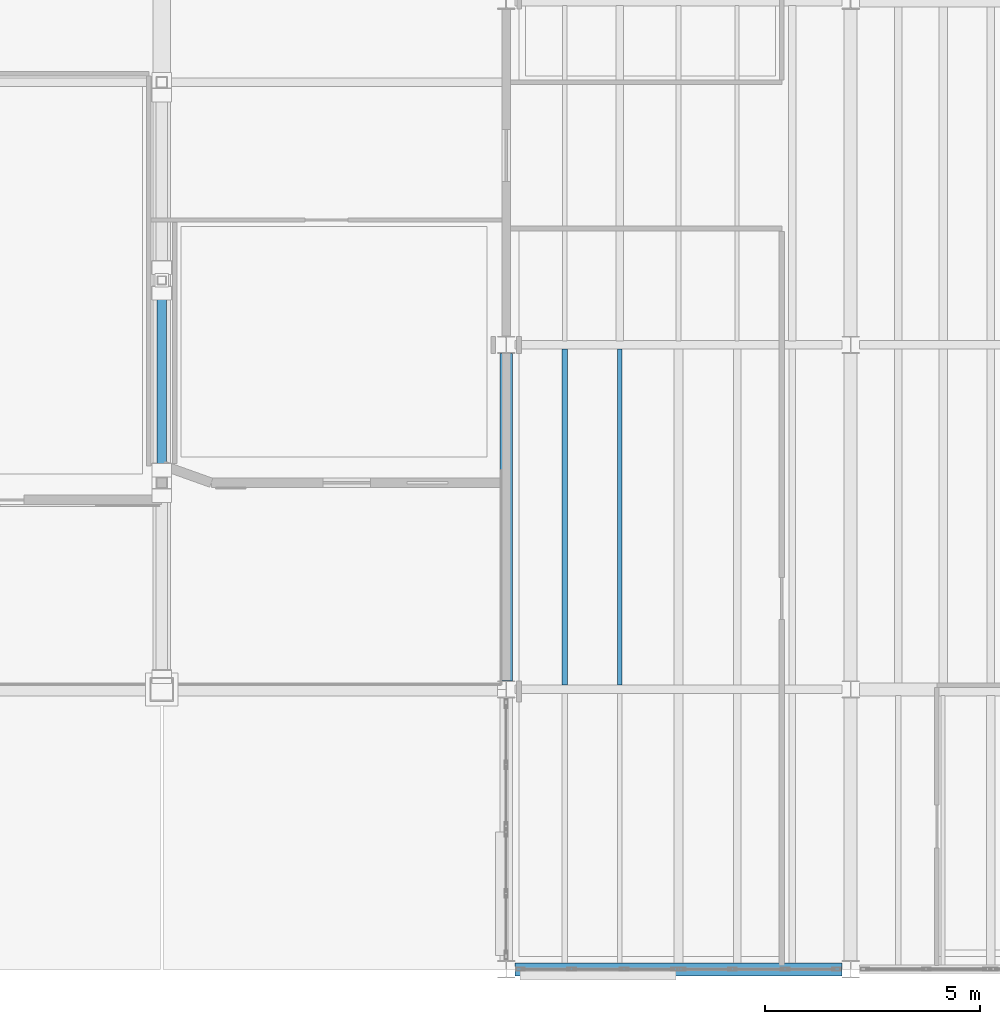
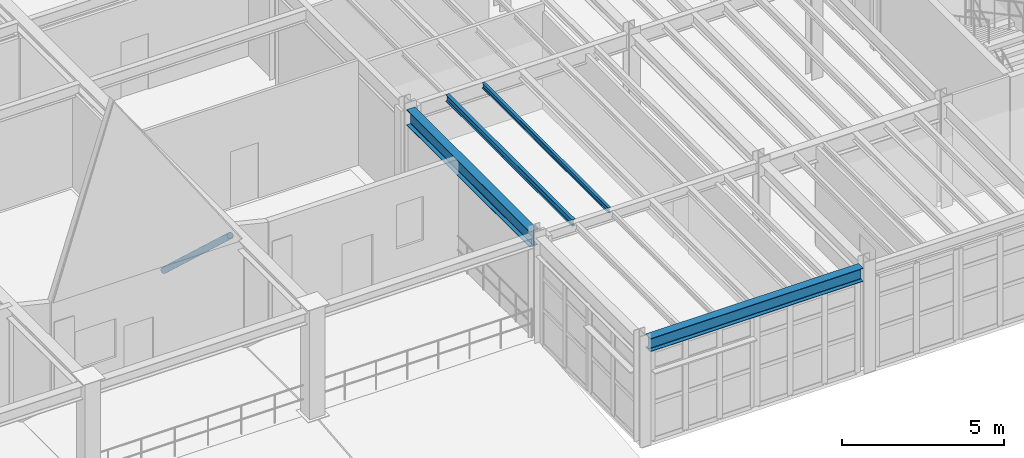
# One storey, part 34 of 78: 4 beams, 1 member.
"""IFC4 building model written with IfcOpenShell, lengths in metres."""

from ifc_helpers import new_model, si_unit, direction, frame, origin, origin_2d, place, context, subcontext, project, spatial, hollow_circle, i_section, extrude, material, material_profile, profile_set, type_object, element, save


model = new_model("IFC4")

# Units and contexts
model_context = context("Model", 3, precision=1e-05, world=origin(), true_north=direction((0.0, 1.0)))
body_context = subcontext(model_context, "Body", "Model", "MODEL_VIEW")
ifc_project = project(units=[si_unit("LENGTHUNIT", "METRE"), si_unit("AREAUNIT", "SQUARE_METRE"), si_unit("VOLUMEUNIT", "CUBIC_METRE"), si_unit("PLANEANGLEUNIT", "RADIAN"), si_unit("MASSUNIT", "GRAM", prefix="KILO"), si_unit("THERMODYNAMICTEMPERATUREUNIT", "KELVIN"), si_unit("POWERUNIT", "WATT")], contexts=[model_context])

# Site, building, storey
site_placement = place(None, origin())
site = spatial("IfcSite", under=ifc_project, at=site_placement, CompositionType="ELEMENT")
building_placement = place(site_placement, origin())
building = spatial("IfcBuilding", under=site, at=building_placement, Name="Zhenchuan Central Fire Station", CompositionType="ELEMENT")
storey_placement = place(building_placement, frame((0.0, 0.0, 5.85009765625)))
storey = spatial("IfcBuildingStorey", under=building, at=storey_placement, Name="L02", CompositionType="ELEMENT", Elevation=5.85009765625)

# Beams
ifc_material = material(Name="Steel Q355B", Category="steel")
ifc_material_profile_1 = material_profile(ifc_material, i_section(OverallWidth=0.300048828125, OverallDepth=0.5, WebThickness=0.010986328125, FlangeThickness=0.01806640625, FilletRadius=0.02197265625, at=origin_2d()), Name="HM 500x300")
ifc_profile_set_1 = profile_set([ifc_material_profile_1], Name="Steel Q355B")
beam_type_1 = type_object("IfcBeamType", Name="BM-HM500", PredefinedType="BEAM", material=ifc_profile_set_1)
beam_1_placement = place(storey_placement, frame((140.199951171875, 0.0, 3.7099609375), z_axis=(1.0, 0.0, 0.0), x_axis=(0.0, 1.0, 0.0)))
element("IfcBeam", 1, at=beam_1_placement, inside=storey, type_object=beam_type_1, Name="L03 Girder EW 0188", PredefinedType="BEAM", context=body_context, shape_type="SweptSolid", body=[
    extrude(i_section(OverallWidth=0.300048828125, OverallDepth=0.5, WebThickness=0.010986328125, FlangeThickness=0.01806640625, FilletRadius=0.02197265625, at=origin_2d()), origin(), (0.0, 0.0, 1.0), 7.60009765625),
])
ifc_material_profile_2 = material_profile(ifc_material, i_section(OverallWidth=0.300048828125, OverallDepth=0.587890625, WebThickness=0.011962890625, FlangeThickness=0.02001953125, FilletRadius=0.02392578125, at=origin_2d()), Name="HM 588x300")
ifc_profile_set_2 = profile_set([ifc_material_profile_2], Name="Steel Q355B")
beam_type_2 = type_object("IfcBeamType", Name="BM-HM588", PredefinedType="BEAM", material=ifc_profile_set_2)
beam_2_placement = place(storey_placement, frame((140.0, 6.699951171875, 3.666015625), z_axis=(0.0, 1.0, 0.0), x_axis=(-1.0, 0.0, 0.0)))
element("IfcBeam", 2, at=beam_2_placement, inside=storey, type_object=beam_type_2, Name="L03 Girder NS 0319", PredefinedType="BEAM", context=body_context, shape_type="SweptSolid", body=[
    extrude(i_section(OverallWidth=0.300048828125, OverallDepth=0.587890625, WebThickness=0.011962890625, FlangeThickness=0.02001953125, FilletRadius=0.02392578125, at=origin_2d()), origin(), (0.0, 0.0, 1.0), 7.60009765625),
])
ifc_material_profile_3 = material_profile(ifc_material, i_section(OverallWidth=0.10009765625, OverallDepth=0.199951171875, WebThickness=0.005615234375, FlangeThickness=0.008056640625, FilletRadius=0.010986328125, at=origin_2d()), Name="HN 200x100")
ifc_profile_set_3 = profile_set([ifc_material_profile_3], Name="Steel Q355B")
beam_type_3 = type_object("IfcBeamType", Name="JS-HN200", PredefinedType="JOIST", material=ifc_profile_set_3)
beam_3_placement = place(storey_placement, frame((142.639892578125, 6.596923828125, 3.85986328125), z_axis=(0.0, 1.0, 0.0), x_axis=(-1.0, 0.0, 0.0)))
element("IfcBeam", 3, at=beam_3_placement, inside=storey, type_object=beam_type_3, Name="L03 Secondary Joist 0353", PredefinedType="JOIST", context=body_context, shape_type="SweptSolid", body=[
    extrude(i_section(OverallWidth=0.10009765625, OverallDepth=0.199951171875, WebThickness=0.005615234375, FlangeThickness=0.008056640625, FilletRadius=0.010986328125, at=origin_2d()), origin(), (0.0, 0.0, 1.0), 7.80615234375),
])
ifc_material_profile_4 = material_profile(ifc_material, i_section(OverallWidth=0.125, OverallDepth=0.25, WebThickness=0.006103515625, FlangeThickness=0.009033203125, FilletRadius=0.011962890625, at=origin_2d()), Name="HN 250x125")
ifc_profile_set_4 = profile_set([ifc_material_profile_4], Name="Steel Q355B")
beam_type_4 = type_object("IfcBeamType", Name="JS-HN250", PredefinedType="JOIST", material=ifc_profile_set_4)
beam_4_placement = place(storey_placement, frame((141.360107421875, 6.596923828125, 3.8349609375), z_axis=(0.0, 1.0, 0.0), x_axis=(-1.0, 0.0, 0.0)))
element("IfcBeam", 4, at=beam_4_placement, inside=storey, type_object=beam_type_4, Name="L03 Secondary Joist 0352", PredefinedType="JOIST", context=body_context, shape_type="SweptSolid", body=[
    extrude(i_section(OverallWidth=0.125, OverallDepth=0.25, WebThickness=0.006103515625, FlangeThickness=0.009033203125, FilletRadius=0.011962890625, at=origin_2d()), origin(), (0.0, 0.0, 1.0), 7.80615234375),
])

# Member
ifc_material_profile_5 = material_profile(ifc_material, hollow_circle(Radius=0.109619140625, WallThickness=0.010009765625, at=origin_2d()), Name="CHS 219.1x10")
ifc_profile_set_5 = profile_set([ifc_material_profile_5], Name="Steel Q355B")
member_type = type_object("IfcMemberType", Name="MB-BR-CHS219", PredefinedType="BRACE", material=ifc_profile_set_5)
member_placement = place(storey_placement, frame((132.0, 11.60009765625, 3.599853515625), z_axis=(0.0, 0.733413833136, -0.679782427961), x_axis=(-1.0, 0.0, 0.0)))
element("IfcMember", 5, at=member_placement, inside=storey, type_object=member_type, Name="Transfer Truss TT-10 Web Diagonal 2", PredefinedType="BRACE", context=body_context, shape_type="SweptSolid", body=[
    extrude(hollow_circle(Radius=0.109619140625, WallThickness=0.010009765625, at=origin_2d()), origin(), (0.0, 0.0, 1.0), 5.590087890625),
])

save(model, "model.ifc")
